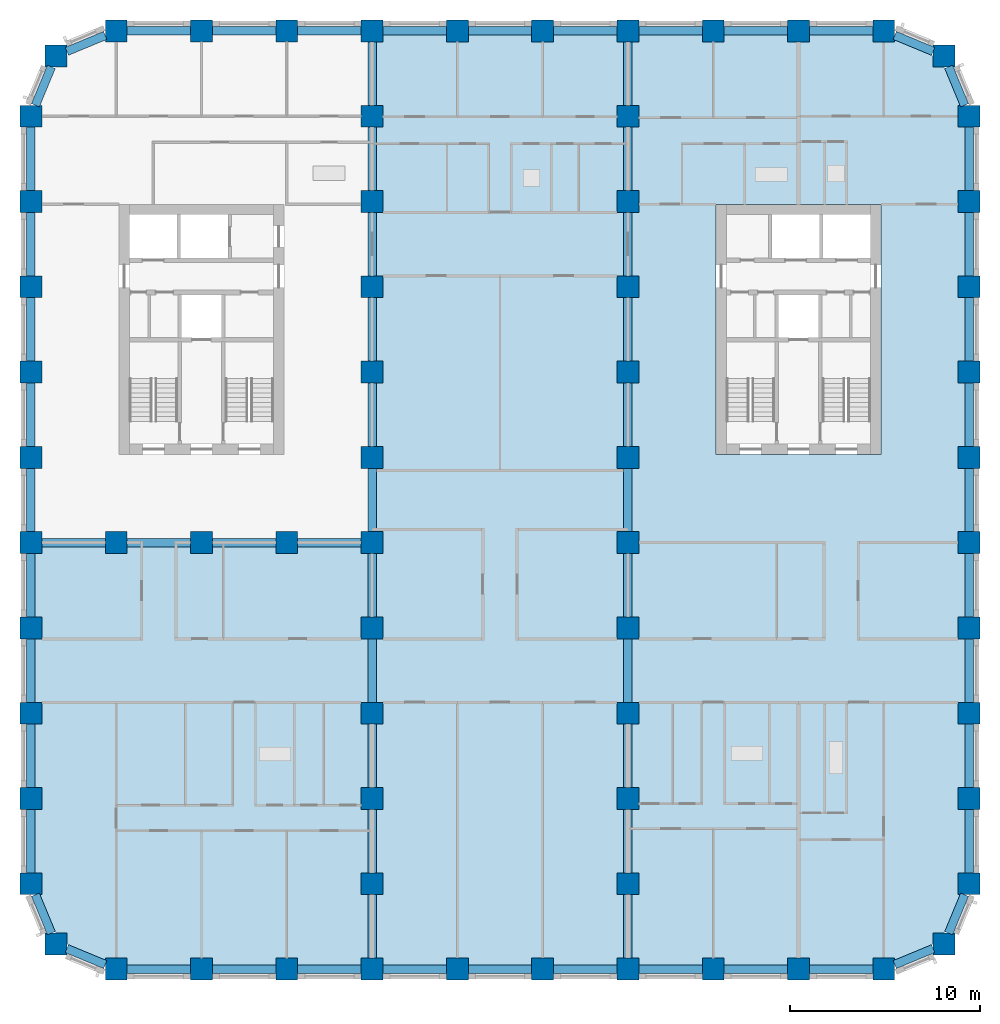
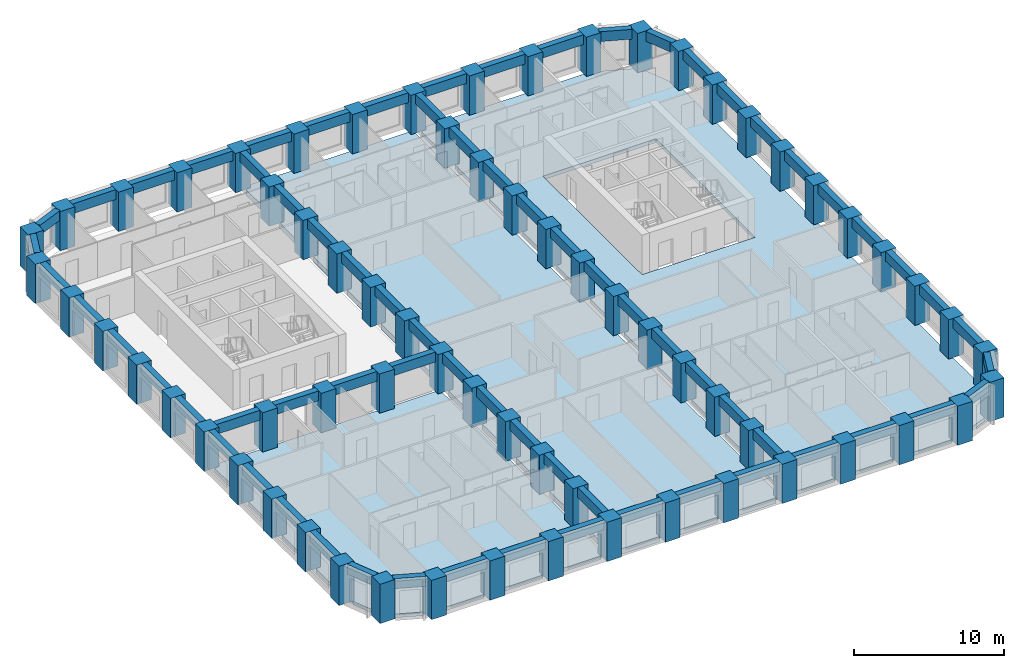
# One storey, part 1 of 13: 70 beams, 67 columns, 3 slabs.
"""IFC4 building model written with IfcOpenShell, lengths in metres."""

import ifcopenshell
import ifcopenshell.guid

model = None  # the IFC model being written
_history = None  # IfcOwnerHistory: only IFC2X3 demands one
_inside = {}  # id of a spatial element -> (the spatial element, [elements in it])
_under = {}  # id of a project, library or spatial element -> (it, [spatial elements below it])
_declared = {}  # id of a project -> (the project, [libraries it declares])
_typed = {}  # id of a type object -> (the type object, [elements of that type])
_made_of = {}  # id of a material, layer set ... -> (it, [elements and type objects made of it])


def new_model(schema):
    """Start an empty IFC model of exactly this schema.

    Asked for "IFC4X3", IfcOpenShell would pick the latest addendum, in which some entities
    have other attributes; the version numbers below select the first issue.
    IFC2X3 requires an IfcOwnerHistory on every rooted entity: one is made here for all.
    """
    global model, _history
    if schema == "IFC4X3":
        model = ifcopenshell.file(schema_version=(4, 3, 0, 0))
    else:
        model = ifcopenshell.file(schema=schema)
    _inside.clear()
    _under.clear()
    _declared.clear()
    _typed.clear()
    _made_of.clear()
    _history = None
    if model.schema == "IFC2X3":
        org = make("IfcOrganization", Name="unknown")
        user = make(
            "IfcPersonAndOrganization",
            ThePerson=make("IfcPerson", FamilyName="unknown"),
            TheOrganization=org,
        )
        app = make(
            "IfcApplication",
            ApplicationDeveloper=org,
            Version="unknown",
            ApplicationFullName="unknown",
            ApplicationIdentifier="unknown",
        )
        _history = make(
            "IfcOwnerHistory",
            OwningUser=user,
            OwningApplication=app,
            ChangeAction="ADDED",
            CreationDate=0,
        )
    return model


def make(cls, **values):
    """One entity of the class cls with the attributes given. An attribute that is None is left unset."""
    return model.create_entity(
        cls, **{name: value for name, value in values.items() if value is not None}
    )


def rooted(cls, **values):
    """An entity with a GlobalId (a new one), such as an element, a storey or a relation."""
    return make(cls, GlobalId=ifcopenshell.guid.new(), OwnerHistory=_history, **values)


def si_unit(unit_type, name, prefix=None):
    """IfcSIUnit, for example si_unit("LENGTHUNIT", "METRE", prefix="MILLI")."""
    return make("IfcSIUnit", UnitType=unit_type, Prefix=prefix, Name=name)


def assignment(units):
    """IfcUnitAssignment: the units of a project."""
    return None if units is None else make("IfcUnitAssignment", Units=units)


def point(xyz):
    """IfcCartesianPoint."""
    return None if xyz is None else make("IfcCartesianPoint", Coordinates=xyz)


def direction(xyz):
    """IfcDirection."""
    return None if xyz is None else make("IfcDirection", DirectionRatios=xyz)


def frame(location, z_axis=None, x_axis=None):
    """IfcAxis2Placement3D, a coordinate frame: its origin and axes. An axis left out is left unset."""
    return make(
        "IfcAxis2Placement3D",
        Location=point(location),
        Axis=direction(z_axis),
        RefDirection=direction(x_axis),
    )


def frame_2d(location, x_axis=None):
    """IfcAxis2Placement2D, a coordinate frame in the plane: its origin and x axis."""
    return make(
        "IfcAxis2Placement2D", Location=point(location), RefDirection=direction(x_axis)
    )


def origin():
    """The frame at (0, 0, 0) with its axes left unset."""
    return frame((0.0, 0.0, 0.0))


def origin_2d():
    """The frame at (0, 0) in the plane with its x axis left unset."""
    return frame_2d((0.0, 0.0))


def place(relative_to, where):
    """IfcLocalPlacement: puts the frame where relative to a parent placement (None: the world)."""
    return make(
        "IfcLocalPlacement", PlacementRelTo=relative_to, RelativePlacement=where
    )


def context(
    kind, dimensions, precision=None, world=None, true_north=None, identifier=None
):
    """IfcGeometricRepresentationContext, for example the 3D "Model" context."""
    return make(
        "IfcGeometricRepresentationContext",
        ContextIdentifier=identifier,
        ContextType=kind,
        CoordinateSpaceDimension=dimensions,
        Precision=precision,
        WorldCoordinateSystem=world,
        TrueNorth=true_north,
    )


def subcontext(parent, identifier, kind, view, scale=None):
    """IfcGeometricRepresentationSubContext, for example "Body" below "Model"."""
    return make(
        "IfcGeometricRepresentationSubContext",
        ContextIdentifier=identifier,
        ContextType=kind,
        ParentContext=parent,
        TargetScale=scale,
        TargetView=view,
    )


def project(units=None, contexts=None):
    """IfcProject with its units and contexts."""
    return rooted(
        "IfcProject",
        Name="project",
        RepresentationContexts=contexts,
        UnitsInContext=assignment(units),
    )


def spatial(cls, under=None, at=None, **own):
    """A site, building, storey or space (cls), placed at a placement, below another one or the project."""
    s = rooted(cls, ObjectPlacement=at, **own)
    if under is not None:
        _under.setdefault(under.id(), (under, []))[1].append(s)
    return s


def polyline(points):
    """IfcPolyline through the points."""
    return make("IfcPolyline", Points=[point(p) for p in points])


def profile(cls, at=None, kind="AREA", **sizes):
    """A parametric profile (cls). Its sizes go by their IFC names, for example OverallWidth=200.0."""
    return make(cls, ProfileType=kind, Position=at, **sizes)


def rectangle(**sizes):
    """IfcRectangleProfileDef."""
    return profile("IfcRectangleProfileDef", **sizes)


def outline(outer, holes=None, kind="AREA"):
    """IfcArbitraryClosedProfileDef: a profile drawn as a closed curve; with holes, ...WithVoids."""
    if holes is None:
        return make("IfcArbitraryClosedProfileDef", ProfileType=kind, OuterCurve=outer)
    return make(
        "IfcArbitraryProfileDefWithVoids",
        ProfileType=kind,
        OuterCurve=outer,
        InnerCurves=holes,
    )


def extrude(swept, where, along, depth):
    """IfcExtrudedAreaSolid: the profile swept, set in the frame where, extruded along a direction by depth."""
    return make(
        "IfcExtrudedAreaSolid",
        SweptArea=swept,
        Position=where,
        ExtrudedDirection=direction(along),
        Depth=depth,
    )


def shape(context_of_items, identifier, shape_type, items):
    """IfcShapeRepresentation: the items that make up one representation, for example the "Body"."""
    return make(
        "IfcShapeRepresentation",
        ContextOfItems=context_of_items,
        RepresentationIdentifier=identifier,
        RepresentationType=shape_type,
        Items=items,
    )


def material(Name=None, Category=None):
    """IfcMaterial."""
    return make("IfcMaterial", Name=Name, Category=Category)


def layer(
    of_material, thickness, ventilated=None, Name=None, Category=None, Priority=None
):
    """IfcMaterialLayer: one layer of a wall or slab, of a material (None: an air gap)."""
    return make(
        "IfcMaterialLayer",
        Material=of_material,
        LayerThickness=thickness,
        IsVentilated=ventilated,
        Name=Name,
        Category=Category,
        Priority=Priority,
    )


def layer_set(layers, Name=None):
    """IfcMaterialLayerSet."""
    return make("IfcMaterialLayerSet", MaterialLayers=layers, LayerSetName=Name)


def material_profile(
    of_material, cross_section, Name=None, Category=None, Priority=None
):
    """IfcMaterialProfile: a cross section and its material."""
    return make(
        "IfcMaterialProfile",
        Name=Name,
        Material=of_material,
        Profile=cross_section,
        Priority=Priority,
        Category=Category,
    )


def profile_set(profiles, Name=None, composite=None):
    """IfcMaterialProfileSet."""
    return make(
        "IfcMaterialProfileSet",
        Name=Name,
        MaterialProfiles=profiles,
        CompositeProfile=composite,
    )


def made_of(thing, what):
    """Note that an element or type object is made of a material, layer set ...; save() writes the relation."""
    if what is not None:
        _made_of.setdefault(what.id(), (what, []))[1].append(thing)
    return thing


def type_object(cls, material=None, **own):
    """A type object (cls), such as IfcWallType, which elements share."""
    return made_of(rooted(cls, **own), material)


def element(
    cls,
    number,
    at=None,
    inside=None,
    cuts=None,
    type_object=None,
    material=None,
    context=None,
    identifier="Body",
    shape_type=None,
    held_by="IfcProductDefinitionShape",
    body=None,
    shapes=None,
    **own,
):
    """One element of the class cls, such as IfcWall. Its Tag is "e" and its number.

    at: its placement. inside: the storey or other place that contains it. cuts: it is an
    opening in that element (IfcRelVoidsElement). A single representation is given by context,
    identifier, shape_type and body (its items); several are given by shapes. held_by: the class
    of the entity that holds the representations. save() writes the other relations.
    """
    e = rooted(cls, Tag="e%d" % number, ObjectPlacement=at, **own)
    if body is not None:
        shapes = [shape(context, identifier, shape_type, body)]
    if shapes is not None:
        e.Representation = make(held_by, Representations=shapes)
    if inside is not None:
        _inside.setdefault(inside.id(), (inside, []))[1].append(e)
    if cuts is not None:
        rooted(
            "IfcRelVoidsElement", RelatingBuildingElement=cuts, RelatedOpeningElement=e
        )
    if type_object is not None:
        _typed.setdefault(type_object.id(), (type_object, []))[1].append(e)
    return made_of(e, material)


def aggregate(whole, parts):
    """IfcRelAggregates: a whole, such as a stair, and the parts it consists of."""
    return rooted("IfcRelAggregates", RelatingObject=whole, RelatedObjects=parts)


def save(model, path):
    """Write the relations noted so far, then the file.

    IfcRelAggregates (storeys below a building ...), IfcRelContainedInSpatialStructure (elements
    in a storey), IfcRelDefinesByType, IfcRelAssociatesMaterial and IfcRelDeclares: one each for
    every whole, place, type object, material and project.
    """
    for whole, parts in _under.values():
        aggregate(whole, parts)
    for where, things in _inside.values():
        rooted(
            "IfcRelContainedInSpatialStructure",
            RelatedElements=things,
            RelatingStructure=where,
        )
    for kind, things in _typed.values():
        rooted("IfcRelDefinesByType", RelatedObjects=things, RelatingType=kind)
    for what, things in _made_of.values():
        rooted("IfcRelAssociatesMaterial", RelatedObjects=things, RelatingMaterial=what)
    for by, libraries in _declared.values():
        rooted("IfcRelDeclares", RelatingContext=by, RelatedDefinitions=libraries)
    model.write(path)


model = new_model("IFC4")

# Units and contexts
model_context = context("Model", 3, precision=1e-05, world=origin(), true_north=direction((0.0, 1.0)))
body_context = subcontext(model_context, "Body", "Model", "MODEL_VIEW")
ifc_project = project(units=[si_unit("LENGTHUNIT", "METRE"), si_unit("AREAUNIT", "SQUARE_METRE"), si_unit("VOLUMEUNIT", "CUBIC_METRE"), si_unit("PLANEANGLEUNIT", "RADIAN"), si_unit("MASSUNIT", "GRAM", prefix="KILO")], contexts=[model_context])

# Site, building, storey
site_placement = place(None, origin())
site = spatial("IfcSite", under=ifc_project, at=site_placement, CompositionType="ELEMENT")
building_placement = place(site_placement, origin())
building = spatial("IfcBuilding", under=site, at=building_placement, Name="Girih Gate Residences", CompositionType="ELEMENT")
storey_placement = place(building_placement, frame((0.0, 0.0, 83.199951171875)))
storey = spatial("IfcBuildingStorey", under=building, at=storey_placement, Name="L22", CompositionType="ELEMENT", Elevation=83.199951171875)

# Columns
ifc_material_1 = material(Name="Concrete C80/95", Category="concrete")
ifc_material_profile_1 = material_profile(ifc_material_1, rectangle(XDim=1.14990234375, YDim=1.14990234375, at=origin_2d()))
ifc_profile_set_1 = profile_set([ifc_material_profile_1], Name="Concrete C80/95")
column_type = type_object("IfcColumnType", Name="Pier RC 1150x1150 Concrete C80/95", PredefinedType="COLUMN", material=ifc_profile_set_1)
for number, where, z_axis, x_axis, name in (
    (1, (4.5, 0.0, 0.0), (0.0, 0.0, 1.0), (1.0, 0.0, 0.0), "Pier P2A L22"),
    (2, (9.0, 0.0, 0.0), (0.0, 0.0, 1.0), (1.0, 0.0, 0.0), "Pier P3A L22"),
    (3, (13.5, 0.0, 0.0), (0.0, 0.0, 1.0), (1.0, 0.0, 0.0), "Pier P4A L22"),
    (4, (18.0, 0.0, 0.0), (0.0, 0.0, 1.0), (1.0, 0.0, 0.0), "Pier P5A L22"),
    (5, (22.5, 0.0, 0.0), (0.0, 0.0, 1.0), (1.0, 0.0, 0.0), "Pier P6A L22"),
    (6, (27.0, 0.0, 0.0), (0.0, 0.0, 1.0), (1.0, 0.0, 0.0), "Pier P7A L22"),
    (7, (31.5, 0.0, 0.0), (0.0, 0.0, 1.0), (1.0, 0.0, 0.0), "Pier P8A L22"),
    (8, (36.0, 0.0, 0.0), (0.0, 0.0, 1.0), (1.0, 0.0, 0.0), "Pier P9A L22"),
    (9, (40.5, 0.0, 0.0), (0.0, 0.0, 1.0), (1.0, 0.0, 0.0), "Pier P10A L22"),
    (10, (45.0, 0.0, 0.0), (0.0, 0.0, 1.0), (1.0, 0.0, 0.0), "Pier P11A L22"),
    (11, (1.318115234375, 1.318115234375, 0.0), (0.0, 0.0, 1.0), (1.0, 0.0, 0.0), "Pier P1ANE L22"),
    (12, (48.181884765625, 1.318115234375, 0.0), (0.0, 0.0, 1.0), (1.0, 0.0, 0.0), "Pier P12ANW L22"),
    (13, (0.0, 4.5, 0.0), (0.0, 0.0, 1.0), (1.0, 0.0, 0.0), "Pier P1B L22"),
    (14, (18.0, 4.5, 0.0), (0.0, 0.0, 1.0), (1.0, 0.0, 0.0), "Pier P5B L22"),
    (15, (31.5, 4.5, 0.0), (0.0, 0.0, 1.0), (1.0, 0.0, 0.0), "Pier P8B L22"),
    (16, (49.5, 4.5, 0.0), (0.0, 0.0, 1.0), (1.0, 0.0, 0.0), "Pier P12B L22"),
    (17, (0.0, 9.0, 0.0), (0.0, 0.0, 1.0), (1.0, 0.0, 0.0), "Pier P1C L22"),
    (18, (18.0, 9.0, 0.0), (0.0, 0.0, 1.0), (1.0, 0.0, 0.0), "Pier P5C L22"),
    (19, (31.5, 9.0, 0.0), (0.0, 0.0, 1.0), (1.0, 0.0, 0.0), "Pier P8C L22"),
    (20, (49.5, 9.0, 0.0), (0.0, 0.0, 1.0), (1.0, 0.0, 0.0), "Pier P12C L22"),
    (21, (0.0, 13.5, 0.0), (0.0, 0.0, 1.0), (1.0, 0.0, 0.0), "Pier P1D L22"),
    (22, (18.0, 13.5, 0.0), (0.0, 0.0, 1.0), (1.0, 0.0, 0.0), "Pier P5D L22"),
    (23, (31.5, 13.5, 0.0), (0.0, 0.0, 1.0), (1.0, 0.0, 0.0), "Pier P8D L22"),
    (24, (49.5, 13.5, 0.0), (0.0, 0.0, 1.0), (1.0, 0.0, 0.0), "Pier P12D L22"),
    (25, (0.0, 18.0, 0.0), (0.0, 0.0, 1.0), (1.0, 0.0, 0.0), "Pier P1E L22"),
    (26, (18.0, 18.0, 0.0), (0.0, 0.0, 1.0), (1.0, 0.0, 0.0), "Pier P5E L22"),
    (27, (31.5, 18.0, 0.0), (0.0, 0.0, 1.0), (1.0, 0.0, 0.0), "Pier P8E L22"),
    (28, (49.5, 18.0, 0.0), (0.0, 0.0, 1.0), (1.0, 0.0, 0.0), "Pier P12E L22"),
    (29, (0.0, 22.5, 0.0), (0.0, 0.0, 1.0), (1.0, 0.0, 0.0), "Pier P1F L22"),
    (30, (4.5, 22.5, 0.0), (0.0, 0.0, 1.0), (1.0, 0.0, 0.0), "Pier P2F L22"),
    (31, (9.0, 22.5, 0.0), (0.0, 0.0, 1.0), (1.0, 0.0, 0.0), "Pier P3F L22"),
    (32, (13.5, 22.5, 0.0), (0.0, 0.0, 1.0), (1.0, 0.0, 0.0), "Pier P4F L22"),
    (33, (18.0, 22.5, 0.0), (0.0, 0.0, 1.0), (1.0, 0.0, 0.0), "Pier P5F L22"),
    (34, (31.5, 22.5, 0.0), (0.0, 0.0, 1.0), (1.0, 0.0, 0.0), "Pier P8F L22"),
    (35, (49.5, 22.5, 0.0), (0.0, 0.0, 1.0), (1.0, 0.0, 0.0), "Pier P12F L22"),
    (36, (0.0, 27.0, 0.0), (0.0, 0.0, 1.0), (1.0, 0.0, 0.0), "Pier P1G L22"),
    (37, (18.0, 27.0, 0.0), (0.0, 0.0, 1.0), (1.0, 0.0, 0.0), "Pier P5G L22"),
    (38, (31.5, 27.0, 0.0), (0.0, 0.0, 1.0), (1.0, 0.0, 0.0), "Pier P8G L22"),
    (39, (49.5, 27.0, 0.0), (0.0, 0.0, 1.0), (1.0, 0.0, 0.0), "Pier P12G L22"),
    (40, (0.0, 31.5, 0.0), (0.0, 0.0, 1.0), (1.0, 0.0, 0.0), "Pier P1H L22"),
    (41, (18.0, 31.5, 0.0), (0.0, 0.0, 1.0), (1.0, 0.0, 0.0), "Pier P5H L22"),
    (42, (31.5, 31.5, 0.0), (0.0, 0.0, 1.0), (1.0, 0.0, 0.0), "Pier P8H L22"),
    (43, (49.5, 31.5, 0.0), (0.0, 0.0, 1.0), (1.0, 0.0, 0.0), "Pier P12H L22"),
    (44, (0.0, 36.0, 0.0), (0.0, 0.0, 1.0), (1.0, 0.0, 0.0), "Pier P1I L22"),
    (45, (18.0, 36.0, 0.0), (0.0, 0.0, 1.0), (1.0, 0.0, 0.0), "Pier P5I L22"),
    (46, (31.5, 36.0, 0.0), (0.0, 0.0, 1.0), (1.0, 0.0, 0.0), "Pier P8I L22"),
    (47, (49.5, 36.0, 0.0), (0.0, 0.0, 1.0), (1.0, 0.0, 0.0), "Pier P12I L22"),
    (48, (0.0, 40.5, 0.0), (0.0, 0.0, 1.0), (1.0, 0.0, 0.0), "Pier P1J L22"),
    (49, (18.0, 40.5, 0.0), (0.0, 0.0, 1.0), (1.0, 0.0, 0.0), "Pier P5J L22"),
    (50, (31.5, 40.5, 0.0), (0.0, 0.0, 1.0), (1.0, 0.0, 0.0), "Pier P8J L22"),
    (51, (49.5, 40.5, 0.0), (0.0, 0.0, 1.0), (1.0, 0.0, 0.0), "Pier P12J L22"),
    (52, (0.0, 45.0, 0.0), (0.0, 0.0, 1.0), (1.0, 0.0, 0.0), "Pier P1K L22"),
    (53, (18.0, 45.0, 0.0), (0.0, 0.0, 1.0), (1.0, 0.0, 0.0), "Pier P5K L22"),
    (54, (31.5, 45.0, 0.0), (0.0, 0.0, 1.0), (1.0, 0.0, 0.0), "Pier P8K L22"),
    (55, (49.5, 45.0, 0.0), (0.0, 0.0, 1.0), (1.0, 0.0, 0.0), "Pier P12K L22"),
    (56, (1.318115234375, 48.181884765625, 0.0), (0.0, 0.0, 1.0), (1.0, 0.0, 0.0), "Pier P1LSE L22"),
    (57, (48.181884765625, 48.181884765625, 0.0), (0.0, 0.0, 1.0), (1.0, 0.0, 0.0), "Pier P12LSW L22"),
    (58, (4.5, 49.5, 0.0), (0.0, 0.0, 1.0), (1.0, 0.0, 0.0), "Pier P2L L22"),
    (59, (9.0, 49.5, 0.0), (0.0, 0.0, 1.0), (1.0, 0.0, 0.0), "Pier P3L L22"),
    (60, (13.5, 49.5, 0.0), (0.0, 0.0, 1.0), (1.0, 0.0, 0.0), "Pier P4L L22"),
    (61, (18.0, 49.5, 0.0), (0.0, 0.0, 1.0), (1.0, 0.0, 0.0), "Pier P5L L22"),
    (62, (22.5, 49.5, 0.0), (0.0, 0.0, 1.0), (1.0, 0.0, 0.0), "Pier P6L L22"),
    (63, (27.0, 49.5, 0.0), (0.0, 0.0, 1.0), (1.0, 0.0, 0.0), "Pier P7L L22"),
    (64, (31.5, 49.5, 0.0), (0.0, 0.0, 1.0), (1.0, 0.0, 0.0), "Pier P8L L22"),
    (65, (36.0, 49.5, 0.0), (0.0, 0.0, 1.0), (1.0, 0.0, 0.0), "Pier P9L L22"),
    (66, (40.5, 49.5, 0.0), (0.0, 0.0, 1.0), (1.0, 0.0, 0.0), "Pier P10L L22"),
    (67, (45.0, 49.5, 0.0), (0.0, 0.0, 1.0), (1.0, 0.0, 0.0), "Pier P11L L22"),
):
    element("IfcColumn", number, at=place(storey_placement, frame(where, z_axis=z_axis, x_axis=x_axis)), inside=storey, type_object=column_type, Name=name, PredefinedType="COLUMN", context=body_context, shape_type="SweptSolid", body=[
        extrude(rectangle(XDim=1.14990234375, YDim=1.14990234375, at=origin_2d()), origin(), (0.0, 0.0, 1.0), 3.199951171875),
    ])

# Beams
ifc_material_2 = material(Name="Concrete C60/75", Category="concrete")
ifc_material_profile_2 = material_profile(ifc_material_2, rectangle(XDim=0.449951171875, YDim=0.800048828125, at=origin_2d()))
ifc_profile_set_2 = profile_set([ifc_material_profile_2], Name="Concrete C60/75")
beam_type = type_object("IfcBeamType", Name="Spandrel girder RC 450x800 Concrete C60/75", PredefinedType="BEAM", material=ifc_profile_set_2)
for number, where, z_axis, x_axis, name in (
    (68, (0.23828125, 3.925048828125, 2.800048828125), (0.382636106589, -0.92389913407, 0.0), (0.92389913407, 0.382636106589, 0.0), "Spandrel girder SP-P1B-P1ANE L22"),
    (69, (1.89306640625, 1.079833984375, 2.800048828125), (0.92389913407, -0.382636106589, 0.0), (0.382636106589, 0.92389913407, 0.0), "Spandrel girder SP-P1ANE-P2A L22"),
):
    element("IfcBeam", number, at=place(storey_placement, frame(where, z_axis=z_axis, x_axis=x_axis)), inside=storey, type_object=beam_type, Name=name, PredefinedType="BEAM", context=body_context, shape_type="SweptSolid", body=[
        extrude(rectangle(XDim=0.449951171875, YDim=0.800048828125, at=origin_2d()), origin(), (0.0, 0.0, 1.0), 2.199462890625),
    ])
for number, where, z_axis, x_axis, name in (
    (70, (5.074951171875, 0.0, 2.800048828125), (1.0, 0.0, 0.0), (0.0, 1.0, 0.0), "Spandrel girder SP-P2A-P3A L22"),
    (71, (9.574951171875, 0.0, 2.800048828125), (1.0, 0.0, 0.0), (0.0, 1.0, 0.0), "Spandrel girder SP-P3A-P4A L22"),
    (72, (14.074951171875, 0.0, 2.800048828125), (1.0, 0.0, 0.0), (0.0, 1.0, 0.0), "Spandrel girder SP-P4A-P5A L22"),
    (73, (18.574951171875, 0.0, 2.800048828125), (1.0, 0.0, 0.0), (0.0, 1.0, 0.0), "Spandrel girder SP-P5A-P6A L22"),
    (74, (23.074951171875, 0.0, 2.800048828125), (1.0, 0.0, 0.0), (0.0, 1.0, 0.0), "Spandrel girder SP-P6A-P7A L22"),
    (75, (27.574951171875, 0.0, 2.800048828125), (1.0, 0.0, 0.0), (0.0, 1.0, 0.0), "Spandrel girder SP-P7A-P8A L22"),
    (76, (32.074951171875, 0.0, 2.800048828125), (1.0, 0.0, 0.0), (0.0, 1.0, 0.0), "Spandrel girder SP-P8A-P9A L22"),
    (77, (36.574951171875, 0.0, 2.800048828125), (1.0, 0.0, 0.0), (0.0, 1.0, 0.0), "Spandrel girder SP-P9A-P10A L22"),
    (78, (41.074951171875, 0.0, 2.800048828125), (1.0, 0.0, 0.0), (0.0, 1.0, 0.0), "Spandrel girder SP-P10A-P11A L22"),
):
    element("IfcBeam", number, at=place(storey_placement, frame(where, z_axis=z_axis, x_axis=x_axis)), inside=storey, type_object=beam_type, Name=name, PredefinedType="BEAM", context=body_context, shape_type="SweptSolid", body=[
        extrude(rectangle(XDim=0.449951171875, YDim=0.800048828125, at=origin_2d()), origin(), (0.0, 0.0, 1.0), 3.35009765625),
    ])
for number, where, z_axis, x_axis, name in (
    (79, (45.574951171875, 0.23828125, 2.800048828125), (0.92389913407, 0.382636106589, 0.0), (-0.382636106589, 0.92389913407, 0.0), "Spandrel girder SP-P11A-P12ANW L22"),
    (80, (48.420166015625, 1.89306640625, 2.800048828125), (0.382636106589, 0.92389913407, 0.0), (-0.92389913407, 0.382636106589, 0.0), "Spandrel girder SP-P12ANW-P12B L22"),
):
    element("IfcBeam", number, at=place(storey_placement, frame(where, z_axis=z_axis, x_axis=x_axis)), inside=storey, type_object=beam_type, Name=name, PredefinedType="BEAM", context=body_context, shape_type="SweptSolid", body=[
        extrude(rectangle(XDim=0.449951171875, YDim=0.800048828125, at=origin_2d()), origin(), (0.0, 0.0, 1.0), 2.199462890625),
    ])
for number, where, z_axis, x_axis, name in (
    (81, (49.5, 5.074951171875, 2.800048828125), (0.0, 1.0, 0.0), (-1.0, 0.0, 0.0), "Spandrel girder SP-P12B-P12C L22"),
    (82, (49.5, 9.574951171875, 2.800048828125), (0.0, 1.0, 0.0), (-1.0, 0.0, 0.0), "Spandrel girder SP-P12C-P12D L22"),
    (83, (49.5, 14.074951171875, 2.800048828125), (0.0, 1.0, 0.0), (-1.0, 0.0, 0.0), "Spandrel girder SP-P12D-P12E L22"),
    (84, (49.5, 18.574951171875, 2.800048828125), (0.0, 1.0, 0.0), (-1.0, 0.0, 0.0), "Spandrel girder SP-P12E-P12F L22"),
    (85, (49.5, 23.074951171875, 2.800048828125), (0.0, 1.0, 0.0), (-1.0, 0.0, 0.0), "Spandrel girder SP-P12F-P12G L22"),
    (86, (49.5, 27.574951171875, 2.800048828125), (0.0, 1.0, 0.0), (-1.0, 0.0, 0.0), "Spandrel girder SP-P12G-P12H L22"),
    (87, (49.5, 32.074951171875, 2.800048828125), (0.0, 1.0, 0.0), (-1.0, 0.0, 0.0), "Spandrel girder SP-P12H-P12I L22"),
    (88, (49.5, 36.574951171875, 2.800048828125), (0.0, 1.0, 0.0), (-1.0, 0.0, 0.0), "Spandrel girder SP-P12I-P12J L22"),
    (89, (49.5, 41.074951171875, 2.800048828125), (0.0, 1.0, 0.0), (-1.0, 0.0, 0.0), "Spandrel girder SP-P12J-P12K L22"),
):
    element("IfcBeam", number, at=place(storey_placement, frame(where, z_axis=z_axis, x_axis=x_axis)), inside=storey, type_object=beam_type, Name=name, PredefinedType="BEAM", context=body_context, shape_type="SweptSolid", body=[
        extrude(rectangle(XDim=0.449951171875, YDim=0.800048828125, at=origin_2d()), origin(), (0.0, 0.0, 1.0), 3.35009765625),
    ])
for number, where, z_axis, x_axis, name in (
    (90, (49.26171875, 45.574951171875, 2.800048828125), (-0.382636106589, 0.92389913407, 0.0), (-0.92389913407, -0.382636106589, 0.0), "Spandrel girder SP-P12K-P12LSW L22"),
    (91, (47.60693359375, 48.420166015625, 2.800048828125), (-0.92389913407, 0.382636106589, 0.0), (-0.382636106589, -0.92389913407, 0.0), "Spandrel girder SP-P12LSW-P11L L22"),
):
    element("IfcBeam", number, at=place(storey_placement, frame(where, z_axis=z_axis, x_axis=x_axis)), inside=storey, type_object=beam_type, Name=name, PredefinedType="BEAM", context=body_context, shape_type="SweptSolid", body=[
        extrude(rectangle(XDim=0.449951171875, YDim=0.800048828125, at=origin_2d()), origin(), (0.0, 0.0, 1.0), 2.199462890625),
    ])
for number, where, z_axis, x_axis, name in (
    (92, (44.425048828125, 49.5, 2.800048828125), (-1.0, 0.0, 0.0), (0.0, -1.0, 0.0), "Spandrel girder SP-P11L-P10L L22"),
    (93, (39.925048828125, 49.5, 2.800048828125), (-1.0, 0.0, 0.0), (0.0, -1.0, 0.0), "Spandrel girder SP-P10L-P9L L22"),
    (94, (35.425048828125, 49.5, 2.800048828125), (-1.0, 0.0, 0.0), (0.0, -1.0, 0.0), "Spandrel girder SP-P9L-P8L L22"),
    (95, (30.925048828125, 49.5, 2.800048828125), (-1.0, 0.0, 0.0), (0.0, -1.0, 0.0), "Spandrel girder SP-P8L-P7L L22"),
    (96, (26.425048828125, 49.5, 2.800048828125), (-1.0, 0.0, 0.0), (0.0, -1.0, 0.0), "Spandrel girder SP-P7L-P6L L22"),
    (97, (21.925048828125, 49.5, 2.800048828125), (-1.0, 0.0, 0.0), (0.0, -1.0, 0.0), "Spandrel girder SP-P6L-P5L L22"),
    (98, (17.425048828125, 49.5, 2.800048828125), (-1.0, 0.0, 0.0), (0.0, -1.0, 0.0), "Spandrel girder SP-P5L-P4L L22"),
    (99, (12.925048828125, 49.5, 2.800048828125), (-1.0, 0.0, 0.0), (0.0, -1.0, 0.0), "Spandrel girder SP-P4L-P3L L22"),
    (100, (8.425048828125, 49.5, 2.800048828125), (-1.0, 0.0, 0.0), (0.0, -1.0, 0.0), "Spandrel girder SP-P3L-P2L L22"),
):
    element("IfcBeam", number, at=place(storey_placement, frame(where, z_axis=z_axis, x_axis=x_axis)), inside=storey, type_object=beam_type, Name=name, PredefinedType="BEAM", context=body_context, shape_type="SweptSolid", body=[
        extrude(rectangle(XDim=0.449951171875, YDim=0.800048828125, at=origin_2d()), origin(), (0.0, 0.0, 1.0), 3.35009765625),
    ])
for number, where, z_axis, x_axis, name in (
    (101, (3.925048828125, 49.26171875, 2.800048828125), (-0.92389913407, -0.382636106589, 0.0), (0.382636106589, -0.92389913407, 0.0), "Spandrel girder SP-P2L-P1LSE L22"),
    (102, (1.079833984375, 47.60693359375, 2.800048828125), (-0.382636106589, -0.92389913407, 0.0), (0.92389913407, -0.382636106589, 0.0), "Spandrel girder SP-P1LSE-P1K L22"),
):
    element("IfcBeam", number, at=place(storey_placement, frame(where, z_axis=z_axis, x_axis=x_axis)), inside=storey, type_object=beam_type, Name=name, PredefinedType="BEAM", context=body_context, shape_type="SweptSolid", body=[
        extrude(rectangle(XDim=0.449951171875, YDim=0.800048828125, at=origin_2d()), origin(), (0.0, 0.0, 1.0), 2.199462890625),
    ])
for number, where, z_axis, x_axis, name in (
    (103, (0.0, 44.425048828125, 2.800048828125), (0.0, -1.0, 0.0), (1.0, 0.0, 0.0), "Spandrel girder SP-P1K-P1J L22"),
    (104, (0.0, 39.925048828125, 2.800048828125), (0.0, -1.0, 0.0), (1.0, 0.0, 0.0), "Spandrel girder SP-P1J-P1I L22"),
    (105, (0.0, 35.425048828125, 2.800048828125), (0.0, -1.0, 0.0), (1.0, 0.0, 0.0), "Spandrel girder SP-P1I-P1H L22"),
    (106, (0.0, 30.925048828125, 2.800048828125), (0.0, -1.0, 0.0), (1.0, 0.0, 0.0), "Spandrel girder SP-P1H-P1G L22"),
    (107, (0.0, 26.425048828125, 2.800048828125), (0.0, -1.0, 0.0), (1.0, 0.0, 0.0), "Spandrel girder SP-P1G-P1F L22"),
    (108, (0.0, 21.925048828125, 2.800048828125), (0.0, -1.0, 0.0), (1.0, 0.0, 0.0), "Spandrel girder SP-P1F-P1E L22"),
    (109, (0.0, 17.425048828125, 2.800048828125), (0.0, -1.0, 0.0), (1.0, 0.0, 0.0), "Spandrel girder SP-P1E-P1D L22"),
    (110, (0.0, 12.925048828125, 2.800048828125), (0.0, -1.0, 0.0), (1.0, 0.0, 0.0), "Spandrel girder SP-P1D-P1C L22"),
    (111, (0.0, 8.425048828125, 2.800048828125), (0.0, -1.0, 0.0), (1.0, 0.0, 0.0), "Spandrel girder SP-P1C-P1B L22"),
    (112, (18.0, 0.574951171875, 2.800048828125), (0.0, 1.0, 0.0), (-1.0, 0.0, 0.0), "Spandrel girder SP-P5A-P5B L22"),
    (113, (18.0, 5.074951171875, 2.800048828125), (0.0, 1.0, 0.0), (-1.0, 0.0, 0.0), "Spandrel girder SP-P5B-P5C L22"),
    (114, (18.0, 9.574951171875, 2.800048828125), (0.0, 1.0, 0.0), (-1.0, 0.0, 0.0), "Spandrel girder SP-P5C-P5D L22"),
    (115, (18.0, 14.074951171875, 2.800048828125), (0.0, 1.0, 0.0), (-1.0, 0.0, 0.0), "Spandrel girder SP-P5D-P5E L22"),
    (116, (18.0, 18.574951171875, 2.800048828125), (0.0, 1.0, 0.0), (-1.0, 0.0, 0.0), "Spandrel girder SP-P5E-P5F L22"),
    (117, (18.0, 23.074951171875, 2.800048828125), (0.0, 1.0, 0.0), (-1.0, 0.0, 0.0), "Spandrel girder SP-P5F-P5G L22"),
    (118, (18.0, 27.574951171875, 2.800048828125), (0.0, 1.0, 0.0), (-1.0, 0.0, 0.0), "Spandrel girder SP-P5G-P5H L22"),
    (119, (18.0, 32.074951171875, 2.800048828125), (0.0, 1.0, 0.0), (-1.0, 0.0, 0.0), "Spandrel girder SP-P5H-P5I L22"),
    (120, (18.0, 36.574951171875, 2.800048828125), (0.0, 1.0, 0.0), (-1.0, 0.0, 0.0), "Spandrel girder SP-P5I-P5J L22"),
    (121, (18.0, 41.074951171875, 2.800048828125), (0.0, 1.0, 0.0), (-1.0, 0.0, 0.0), "Spandrel girder SP-P5J-P5K L22"),
    (122, (18.0, 45.574951171875, 2.800048828125), (0.0, 1.0, 0.0), (-1.0, 0.0, 0.0), "Spandrel girder SP-P5K-P5L L22"),
    (123, (31.5, 0.574951171875, 2.800048828125), (0.0, 1.0, 0.0), (-1.0, 0.0, 0.0), "Spandrel girder SP-P8A-P8B L22"),
    (124, (31.5, 5.074951171875, 2.800048828125), (0.0, 1.0, 0.0), (-1.0, 0.0, 0.0), "Spandrel girder SP-P8B-P8C L22"),
    (125, (31.5, 9.574951171875, 2.800048828125), (0.0, 1.0, 0.0), (-1.0, 0.0, 0.0), "Spandrel girder SP-P8C-P8D L22"),
    (126, (31.5, 14.074951171875, 2.800048828125), (0.0, 1.0, 0.0), (-1.0, 0.0, 0.0), "Spandrel girder SP-P8D-P8E L22"),
    (127, (31.5, 18.574951171875, 2.800048828125), (0.0, 1.0, 0.0), (-1.0, 0.0, 0.0), "Spandrel girder SP-P8E-P8F L22"),
    (128, (31.5, 23.074951171875, 2.800048828125), (0.0, 1.0, 0.0), (-1.0, 0.0, 0.0), "Spandrel girder SP-P8F-P8G L22"),
    (129, (31.5, 27.574951171875, 2.800048828125), (0.0, 1.0, 0.0), (-1.0, 0.0, 0.0), "Spandrel girder SP-P8G-P8H L22"),
    (130, (31.5, 32.074951171875, 2.800048828125), (0.0, 1.0, 0.0), (-1.0, 0.0, 0.0), "Spandrel girder SP-P8H-P8I L22"),
    (131, (31.5, 36.574951171875, 2.800048828125), (0.0, 1.0, 0.0), (-1.0, 0.0, 0.0), "Spandrel girder SP-P8I-P8J L22"),
    (132, (31.5, 41.074951171875, 2.800048828125), (0.0, 1.0, 0.0), (-1.0, 0.0, 0.0), "Spandrel girder SP-P8J-P8K L22"),
    (133, (31.5, 45.574951171875, 2.800048828125), (0.0, 1.0, 0.0), (-1.0, 0.0, 0.0), "Spandrel girder SP-P8K-P8L L22"),
    (134, (0.574951171875, 22.5, 2.800048828125), (1.0, 0.0, 0.0), (0.0, 1.0, 0.0), "Spandrel girder SP-P1F-P2F L22"),
    (135, (5.074951171875, 22.5, 2.800048828125), (1.0, 0.0, 0.0), (0.0, 1.0, 0.0), "Spandrel girder SP-P2F-P3F L22"),
    (136, (9.574951171875, 22.5, 2.800048828125), (1.0, 0.0, 0.0), (0.0, 1.0, 0.0), "Spandrel girder SP-P3F-P4F L22"),
    (137, (14.074951171875, 22.5, 2.800048828125), (1.0, 0.0, 0.0), (0.0, 1.0, 0.0), "Spandrel girder SP-P4F-P5F L22"),
):
    element("IfcBeam", number, at=place(storey_placement, frame(where, z_axis=z_axis, x_axis=x_axis)), inside=storey, type_object=beam_type, Name=name, PredefinedType="BEAM", context=body_context, shape_type="SweptSolid", body=[
        extrude(rectangle(XDim=0.449951171875, YDim=0.800048828125, at=origin_2d()), origin(), (0.0, 0.0, 1.0), 3.35009765625),
    ])

# Slabs
ifc_material_3 = material(Name="Concrete C40/50", Category="concrete")
ifc_layer_1 = layer(ifc_material_3, 0.300048828125)
ifc_layer_set_1 = layer_set([ifc_layer_1], Name="Floor slab PT 300 Concrete C40/50")
slab_type_1 = type_object("IfcSlabType", Name="Floor slab PT 300 Concrete C40/50", PredefinedType="FLOOR", material=ifc_layer_set_1)
slab_1_placement = place(storey_placement, frame((0.0, 0.0, -0.300048828125)))
element("IfcSlab", 138, at=slab_1_placement, inside=storey, type_object=slab_type_1, Name="Floor slab L22 0", PredefinedType="FLOOR", context=body_context, shape_type="SweptSolid", body=[
    extrude(outline(polyline([(0.22509765625, 8.425048828125), (0.22509765625, 5.074951171875), (0.574951171875, 5.074951171875), (0.574951171875, 3.925048828125), (0.481689453125, 3.925048828125), (1.323486328125, 1.89306640625), (1.89306640625, 1.89306640625), (1.89306640625, 1.323486328125), (3.925048828125, 0.481689453125), (3.925048828125, 0.574951171875), (5.074951171875, 0.574951171875), (5.074951171875, 0.22509765625), (8.425048828125, 0.22509765625), (8.425048828125, 0.574951171875), (9.574951171875, 0.574951171875), (9.574951171875, 0.22509765625), (12.925048828125, 0.22509765625), (12.925048828125, 0.574951171875), (14.074951171875, 0.574951171875), (14.074951171875, 0.22509765625), (17.425048828125, 0.22509765625), (17.425048828125, 0.574951171875), (17.77490234375, 0.574951171875), (17.77490234375, 3.925048828125), (17.425048828125, 3.925048828125), (17.425048828125, 5.074951171875), (17.77490234375, 5.074951171875), (17.77490234375, 8.425048828125), (17.425048828125, 8.425048828125), (17.425048828125, 9.574951171875), (17.77490234375, 9.574951171875), (17.77490234375, 12.925048828125), (17.425048828125, 12.925048828125), (17.425048828125, 14.074951171875), (17.77490234375, 14.074951171875), (17.77490234375, 17.425048828125), (17.425048828125, 17.425048828125), (17.425048828125, 18.574951171875), (17.77490234375, 18.574951171875), (17.77490234375, 21.925048828125), (17.425048828125, 21.925048828125), (17.425048828125, 22.27490234375), (14.074951171875, 22.27490234375), (14.074951171875, 21.925048828125), (12.925048828125, 21.925048828125), (12.925048828125, 22.27490234375), (9.574951171875, 22.27490234375), (9.574951171875, 21.925048828125), (8.425048828125, 21.925048828125), (8.425048828125, 22.27490234375), (5.074951171875, 22.27490234375), (5.074951171875, 21.925048828125), (3.925048828125, 21.925048828125), (3.925048828125, 22.27490234375), (0.574951171875, 22.27490234375), (0.574951171875, 21.925048828125), (0.22509765625, 21.925048828125), (0.22509765625, 18.574951171875), (0.574951171875, 18.574951171875), (0.574951171875, 17.425048828125), (0.22509765625, 17.425048828125), (0.22509765625, 14.074951171875), (0.574951171875, 14.074951171875), (0.574951171875, 12.925048828125), (0.22509765625, 12.925048828125), (0.22509765625, 9.574951171875), (0.574951171875, 9.574951171875), (0.574951171875, 8.425048828125), (0.22509765625, 8.425048828125)])), origin(), (0.0, 0.0, 1.0), 0.300048828125),
])
slab_2_placement = place(storey_placement, frame((0.0, 0.0, -0.300048828125)))
element("IfcSlab", 139, at=slab_2_placement, inside=storey, type_object=slab_type_1, Name="Floor slab L22 1", PredefinedType="FLOOR", context=body_context, shape_type="SweptSolid", body=[
    extrude(outline(polyline([(35.425048828125, 49.27490234375), (32.074951171875, 49.27490234375), (32.074951171875, 48.925048828125), (31.72509765625, 48.925048828125), (31.72509765625, 45.574951171875), (32.074951171875, 45.574951171875), (32.074951171875, 44.425048828125), (31.72509765625, 44.425048828125), (31.72509765625, 41.074951171875), (32.074951171875, 41.074951171875), (32.074951171875, 39.925048828125), (31.72509765625, 39.925048828125), (31.72509765625, 36.574951171875), (32.074951171875, 36.574951171875), (32.074951171875, 35.425048828125), (31.72509765625, 35.425048828125), (31.72509765625, 32.074951171875), (32.074951171875, 32.074951171875), (32.074951171875, 30.925048828125), (31.72509765625, 30.925048828125), (31.72509765625, 27.574951171875), (32.074951171875, 27.574951171875), (32.074951171875, 26.425048828125), (31.72509765625, 26.425048828125), (31.72509765625, 23.074951171875), (32.074951171875, 23.074951171875), (32.074951171875, 21.925048828125), (31.72509765625, 21.925048828125), (31.72509765625, 18.574951171875), (32.074951171875, 18.574951171875), (32.074951171875, 17.425048828125), (31.72509765625, 17.425048828125), (31.72509765625, 14.074951171875), (32.074951171875, 14.074951171875), (32.074951171875, 12.925048828125), (31.72509765625, 12.925048828125), (31.72509765625, 9.574951171875), (32.074951171875, 9.574951171875), (32.074951171875, 8.425048828125), (31.72509765625, 8.425048828125), (31.72509765625, 5.074951171875), (32.074951171875, 5.074951171875), (32.074951171875, 3.925048828125), (31.72509765625, 3.925048828125), (31.72509765625, 0.574951171875), (32.074951171875, 0.574951171875), (32.074951171875, 0.22509765625), (35.425048828125, 0.22509765625), (35.425048828125, 0.574951171875), (36.574951171875, 0.574951171875), (36.574951171875, 0.22509765625), (39.925048828125, 0.22509765625), (39.925048828125, 0.574951171875), (41.074951171875, 0.574951171875), (41.074951171875, 0.22509765625), (44.425048828125, 0.22509765625), (44.425048828125, 0.574951171875), (45.574951171875, 0.574951171875), (45.574951171875, 0.481689453125), (47.60693359375, 1.323486328125), (47.60693359375, 1.89306640625), (48.176513671875, 1.89306640625), (49.018310546875, 3.925048828125), (48.925048828125, 3.925048828125), (48.925048828125, 5.074951171875), (49.27490234375, 5.074951171875), (49.27490234375, 8.425048828125), (48.925048828125, 8.425048828125), (48.925048828125, 9.574951171875), (49.27490234375, 9.574951171875), (49.27490234375, 12.925048828125), (48.925048828125, 12.925048828125), (48.925048828125, 14.074951171875), (49.27490234375, 14.074951171875), (49.27490234375, 17.425048828125), (48.925048828125, 17.425048828125), (48.925048828125, 18.574951171875), (49.27490234375, 18.574951171875), (49.27490234375, 21.925048828125), (48.925048828125, 21.925048828125), (48.925048828125, 23.074951171875), (49.27490234375, 23.074951171875), (49.27490234375, 26.425048828125), (48.925048828125, 26.425048828125), (48.925048828125, 27.574951171875), (49.27490234375, 27.574951171875), (49.27490234375, 30.925048828125), (48.925048828125, 30.925048828125), (48.925048828125, 32.074951171875), (49.27490234375, 32.074951171875), (49.27490234375, 35.425048828125), (48.925048828125, 35.425048828125), (48.925048828125, 36.574951171875), (49.27490234375, 36.574951171875), (49.27490234375, 39.925048828125), (48.925048828125, 39.925048828125), (48.925048828125, 41.074951171875), (49.27490234375, 41.074951171875), (49.27490234375, 44.425048828125), (48.925048828125, 44.425048828125), (48.925048828125, 45.574951171875), (49.018310546875, 45.574951171875), (48.176513671875, 47.60693359375), (47.60693359375, 47.60693359375), (47.60693359375, 48.176513671875), (45.574951171875, 49.018310546875), (45.574951171875, 48.925048828125), (44.425048828125, 48.925048828125), (44.425048828125, 49.27490234375), (41.074951171875, 49.27490234375), (41.074951171875, 48.925048828125), (39.925048828125, 48.925048828125), (39.925048828125, 49.27490234375), (36.574951171875, 49.27490234375), (36.574951171875, 48.925048828125), (35.425048828125, 48.925048828125), (35.425048828125, 49.27490234375)]), holes=[polyline([(44.85009765625, 40.35009765625), (44.85009765625, 27.14990234375), (36.14990234375, 27.14990234375), (36.14990234375, 40.35009765625), (44.85009765625, 40.35009765625)])]), origin(), (0.0, 0.0, 1.0), 0.300048828125),
])
ifc_layer_2 = layer(ifc_material_3, 0.449951171875)
ifc_layer_set_2 = layer_set([ifc_layer_2], Name="Floor slab PT 450 Concrete C40/50")
slab_type_2 = type_object("IfcSlabType", Name="Floor slab PT 450 Concrete C40/50", PredefinedType="FLOOR", material=ifc_layer_set_2)
slab_3_placement = place(storey_placement, frame((0.0, 0.0, -0.449951171875)))
element("IfcSlab", 140, at=slab_3_placement, inside=storey, type_object=slab_type_2, Name="Floor slab L22 2", PredefinedType="FLOOR", context=body_context, shape_type="SweptSolid", body=[
    extrude(outline(polyline([(21.925048828125, 49.27490234375), (18.574951171875, 49.27490234375), (18.574951171875, 48.925048828125), (18.22509765625, 48.925048828125), (18.22509765625, 45.574951171875), (18.574951171875, 45.574951171875), (18.574951171875, 44.425048828125), (18.22509765625, 44.425048828125), (18.22509765625, 41.074951171875), (18.574951171875, 41.074951171875), (18.574951171875, 39.925048828125), (18.22509765625, 39.925048828125), (18.22509765625, 36.574951171875), (18.574951171875, 36.574951171875), (18.574951171875, 35.425048828125), (18.22509765625, 35.425048828125), (18.22509765625, 32.074951171875), (18.574951171875, 32.074951171875), (18.574951171875, 30.925048828125), (18.22509765625, 30.925048828125), (18.22509765625, 27.574951171875), (18.574951171875, 27.574951171875), (18.574951171875, 26.425048828125), (18.22509765625, 26.425048828125), (18.22509765625, 23.074951171875), (18.574951171875, 23.074951171875), (18.574951171875, 21.925048828125), (18.22509765625, 21.925048828125), (18.22509765625, 18.574951171875), (18.574951171875, 18.574951171875), (18.574951171875, 17.425048828125), (18.22509765625, 17.425048828125), (18.22509765625, 14.074951171875), (18.574951171875, 14.074951171875), (18.574951171875, 12.925048828125), (18.22509765625, 12.925048828125), (18.22509765625, 9.574951171875), (18.574951171875, 9.574951171875), (18.574951171875, 8.425048828125), (18.22509765625, 8.425048828125), (18.22509765625, 5.074951171875), (18.574951171875, 5.074951171875), (18.574951171875, 3.925048828125), (18.22509765625, 3.925048828125), (18.22509765625, 0.574951171875), (18.574951171875, 0.574951171875), (18.574951171875, 0.22509765625), (21.925048828125, 0.22509765625), (21.925048828125, 0.574951171875), (23.074951171875, 0.574951171875), (23.074951171875, 0.22509765625), (26.425048828125, 0.22509765625), (26.425048828125, 0.574951171875), (27.574951171875, 0.574951171875), (27.574951171875, 0.22509765625), (30.925048828125, 0.22509765625), (30.925048828125, 0.574951171875), (31.27490234375, 0.574951171875), (31.27490234375, 3.925048828125), (30.925048828125, 3.925048828125), (30.925048828125, 5.074951171875), (31.27490234375, 5.074951171875), (31.27490234375, 8.425048828125), (30.925048828125, 8.425048828125), (30.925048828125, 9.574951171875), (31.27490234375, 9.574951171875), (31.27490234375, 12.925048828125), (30.925048828125, 12.925048828125), (30.925048828125, 14.074951171875), (31.27490234375, 14.074951171875), (31.27490234375, 17.425048828125), (30.925048828125, 17.425048828125), (30.925048828125, 18.574951171875), (31.27490234375, 18.574951171875), (31.27490234375, 21.925048828125), (30.925048828125, 21.925048828125), (30.925048828125, 23.074951171875), (31.27490234375, 23.074951171875), (31.27490234375, 26.425048828125), (30.925048828125, 26.425048828125), (30.925048828125, 27.574951171875), (31.27490234375, 27.574951171875), (31.27490234375, 30.925048828125), (30.925048828125, 30.925048828125), (30.925048828125, 32.074951171875), (31.27490234375, 32.074951171875), (31.27490234375, 35.425048828125), (30.925048828125, 35.425048828125), (30.925048828125, 36.574951171875), (31.27490234375, 36.574951171875), (31.27490234375, 39.925048828125), (30.925048828125, 39.925048828125), (30.925048828125, 41.074951171875), (31.27490234375, 41.074951171875), (31.27490234375, 44.425048828125), (30.925048828125, 44.425048828125), (30.925048828125, 45.574951171875), (31.27490234375, 45.574951171875), (31.27490234375, 48.925048828125), (30.925048828125, 48.925048828125), (30.925048828125, 49.27490234375), (27.574951171875, 49.27490234375), (27.574951171875, 48.925048828125), (26.425048828125, 48.925048828125), (26.425048828125, 49.27490234375), (23.074951171875, 49.27490234375), (23.074951171875, 48.925048828125), (21.925048828125, 48.925048828125), (21.925048828125, 49.27490234375)])), origin(), (0.0, 0.0, 1.0), 0.449951171875),
])

save(model, "model.ifc")
